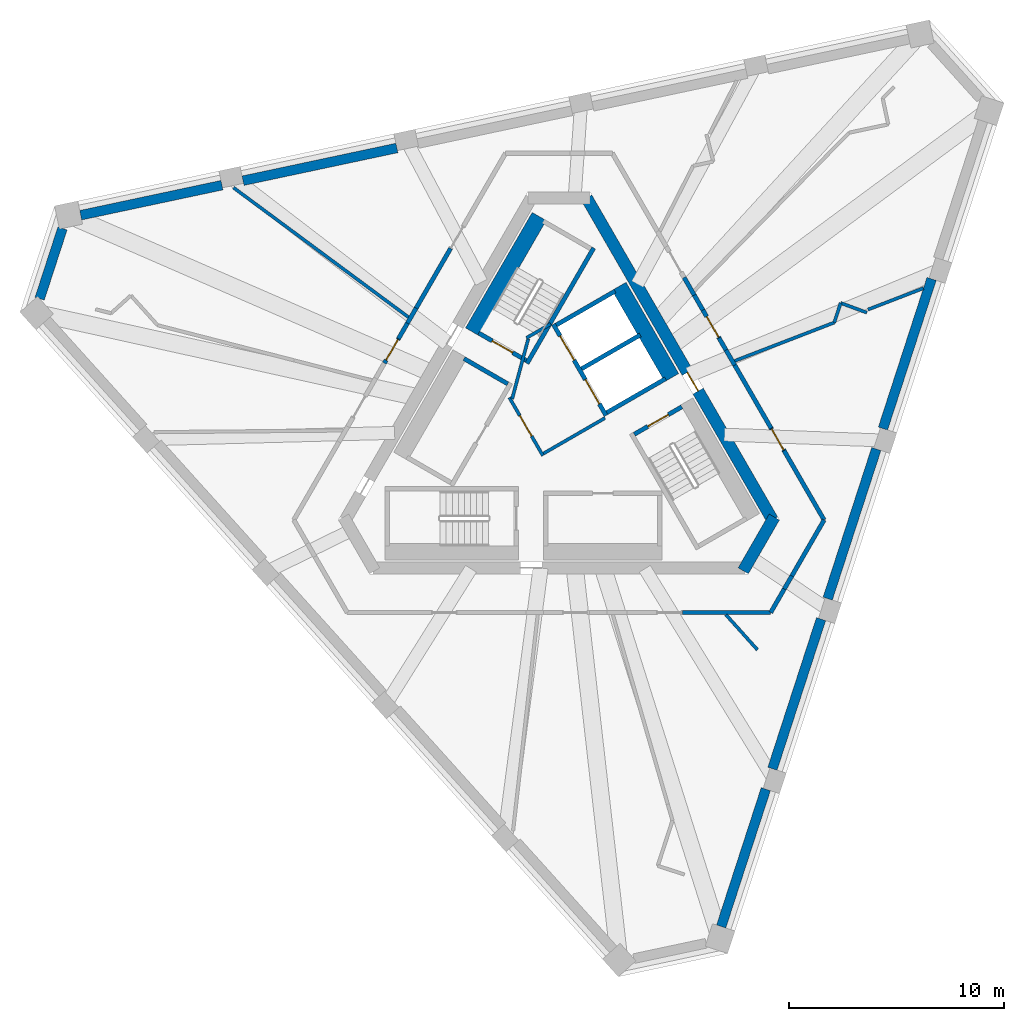
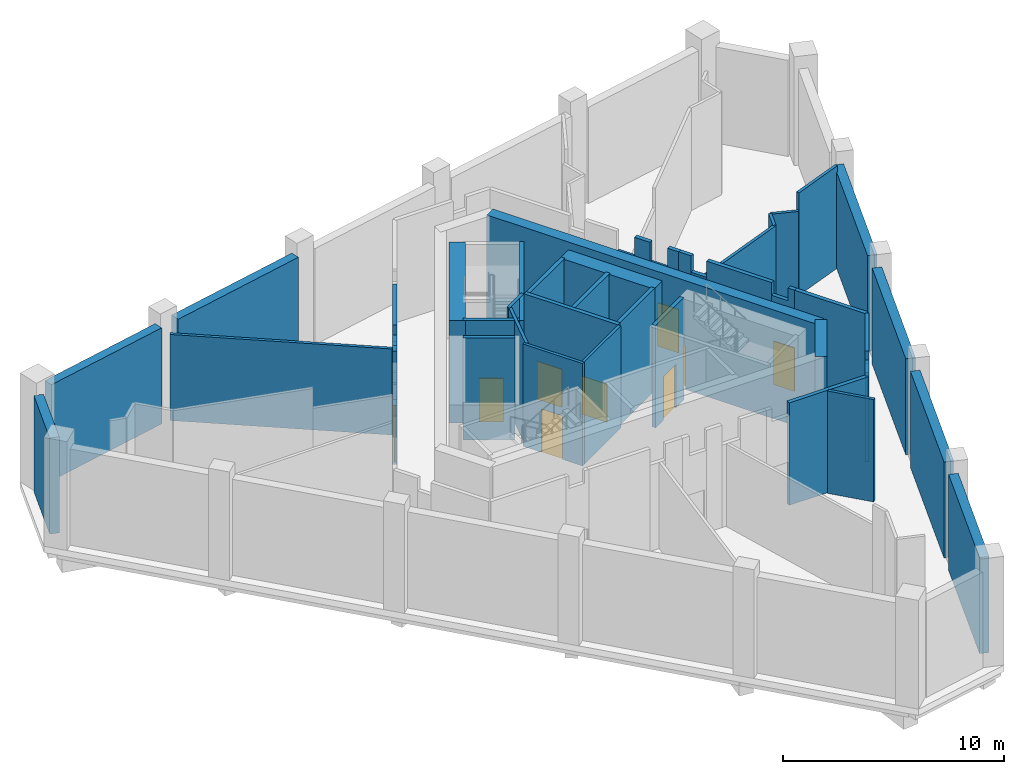
# One storey, part 3 of 5: 45 walls, 9 doors, 9 openings.
"""IFC4 building model written with IfcOpenShell, lengths in metres."""

from ifc_helpers import new_model, si_unit, direction, frame, frame_2d, origin, place, context, subcontext, project, spatial, polyline, rectangle, outline, extrude, material, layer, layer_set, type_object, element, fill, save


model = new_model("IFC4")

# Units and contexts
model_context = context("Model", 3, precision=1e-05, world=origin(), true_north=direction((0.0, 1.0)))
body_context = subcontext(model_context, "Body", "Model", "MODEL_VIEW")
ifc_project = project(units=[si_unit("LENGTHUNIT", "METRE"), si_unit("AREAUNIT", "SQUARE_METRE"), si_unit("VOLUMEUNIT", "CUBIC_METRE"), si_unit("PLANEANGLEUNIT", "RADIAN"), si_unit("MASSUNIT", "GRAM", prefix="KILO")], contexts=[model_context])

# Site, building, storey
site_placement = place(None, origin())
site = spatial("IfcSite", under=ifc_project, at=site_placement, CompositionType="ELEMENT")
building_placement = place(site_placement, origin())
building = spatial("IfcBuilding", under=site, at=building_placement, Name="Tramontana Tower", CompositionType="ELEMENT")
storey_placement = place(building_placement, frame((0.0, 0.0, 374.89990234375)))
storey = spatial("IfcBuildingStorey", under=building, at=storey_placement, Name="L86", CompositionType="ELEMENT", Elevation=374.89990234375)

# Wall
ifc_material_1 = material(Name="Concrete 70 MPa", Category="concrete")
ifc_layer_1 = layer(ifc_material_1, 0.550048828125)
ifc_layer_set_1 = layer_set([ifc_layer_1], Name="Core wall 550 70 MPa")
wall_type_1 = type_object("IfcWallType", Name="Core wall 550 70 MPa", PredefinedType="SHEAR", material=ifc_layer_set_1)
wall_1_placement = place(storey_placement, frame((8.56640625, -6.612548828125, 0.0), z_axis=(0.0, 0.0, 1.0), x_axis=(0.499995765644, 0.866027848477, 0.0)))
element("IfcWall", 1, at=wall_1_placement, inside=storey, type_object=wall_type_1, Name="Core wall C4 L86", PredefinedType="SHEAR", context=body_context, shape_type="SweptSolid", body=[
    extrude(rectangle(XDim=2.88671875, YDim=0.550048828125, at=frame_2d((1.443359375, 0.0))), origin(), (0.0, 0.0, 1.0), 6.0),
])

# Wall, opening, door
wall_2_placement = place(storey_placement, frame((9.930419921875, -4.25, 0.0), z_axis=(0.0, 0.0, 1.0), x_axis=(-0.499994590896, 0.86602852671, 0.0)))
wall_2 = element("IfcWall", 2, at=wall_2_placement, inside=storey, type_object=wall_type_1, Name="Core wall C5 L86", PredefinedType="SHEAR", context=body_context, shape_type="SweptSolid", body=[
    extrude(rectangle(XDim=17.291748046875, YDim=0.550048828125, at=frame_2d((8.64599609375, 0.0))), origin(), (0.0, 0.0, 1.0), 6.0),
])
opening_1_placement = place(wall_2_placement, frame((6.9208984375, 0.0, 0.0)))
opening_1 = element("IfcOpeningElement", 3, at=opening_1_placement, cuts=wall_2, Name="Opening RG3", PredefinedType="OPENING", context=body_context, shape_type="SweptSolid", body=[
    extrude(rectangle(XDim=1.0, YDim=2.39990234375, at=frame_2d((0.5, 1.199951171875))), frame((0.0, 0.284912109375, 0.0), z_axis=(0.0, -1.0, 0.0), x_axis=(1.0, 0.0, 0.0)), (0.0, 0.0, 1.0), 0.570068359375),
])
ifc_material_2 = material(Name="Painted steel", Category="steel")
door_type_1 = type_object("IfcDoorType", Name="RING DOOR 1000", OperationType="SINGLE_SWING_LEFT", PredefinedType="DOOR", material=ifc_material_2)
door_1_placement = place(opening_1_placement, origin())
door_1 = element("IfcDoor", 4, at=door_1_placement, inside=storey, type_object=door_type_1, Name="Door RG3", OperationType="SINGLE_SWING_RIGHT", OverallHeight=2.39990234375, OverallWidth=1.0, PredefinedType="DOOR", context=body_context, shape_type="SweptSolid", body=[
    extrude(rectangle(XDim=1.0, YDim=2.39990234375, at=frame_2d((0.5, 1.199951171875))), frame((0.0, 0.02490234375, 0.0), z_axis=(0.0, -1.0, 0.0), x_axis=(1.0, 0.0, 0.0)), (0.0, 0.0, 1.0), 0.050048828125),
])
fill(opening_1, door_1)

# Walls
ifc_material_3 = material(Name="Blockwork", Category="masonry")
ifc_layer_2 = layer(ifc_material_3, 0.199951171875)
ifc_layer_set_2 = layer_set([ifc_layer_2], Name="ENTRY WALL 200")
wall_type_2 = type_object("IfcWallType", Name="ENTRY WALL 200", PredefinedType="SOLIDWALL", material=ifc_layer_set_2)
wall_3_placement = place(storey_placement, frame((12.326416015625, -4.25, 0.0), z_axis=(0.0, 0.0, 1.0), x_axis=(-0.500003959331, -0.866023117852, 0.0)))
element("IfcWall", 5, at=wall_3_placement, inside=storey, type_object=wall_type_2, Name="Wall ew0-0", PredefinedType="SOLIDWALL", context=body_context, shape_type="SweptSolid", body=[
    extrude(rectangle(XDim=3.0029296875, YDim=0.199951171875, at=frame_2d((1.50146484375, 0.0))), origin(), (0.0, 0.0, 1.0), 5.650146484375),
])
wall_4_placement = place(storey_placement, frame((10.824951171875, -6.8505859375, 0.0), z_axis=(0.0, 0.0, 1.0), x_axis=(-0.500144223137, -0.865942120504, 0.0)))
element("IfcWall", 6, at=wall_4_placement, inside=storey, type_object=wall_type_2, Name="Wall ew0-1", PredefinedType="SOLIDWALL", context=body_context, shape_type="SweptSolid", body=[
    extrude(rectangle(XDim=0.701416015625, YDim=0.199951171875, at=frame_2d((0.3505859375, 0.0))), origin(), (0.0, 0.0, 1.0), 4.9501953125),
])
wall_5_placement = place(storey_placement, frame((10.47412109375, -7.4580078125, 0.0), z_axis=(0.0, 0.0, 1.0), x_axis=(-0.499929168788, -0.866066294342, 0.0)))
element("IfcWall", 7, at=wall_5_placement, inside=storey, type_object=wall_type_2, Name="Wall ew0-2", PredefinedType="SOLIDWALL", context=body_context, shape_type="SweptSolid", body=[
    extrude(rectangle(XDim=1.260986328125, YDim=0.199951171875, at=frame_2d((0.63037109375, 0.0))), origin(), (0.0, 0.0, 1.0), 5.650146484375),
])
wall_6_placement = place(storey_placement, frame((9.84375, -8.550048828125, 0.0), z_axis=(0.0, 0.0, 1.0), x_axis=(-1.0, 0.0, 0.0)))
element("IfcWall", 8, at=wall_6_placement, inside=storey, type_object=wall_type_2, Name="Wall ew1-0", PredefinedType="SOLIDWALL", context=body_context, shape_type="SweptSolid", body=[
    extrude(rectangle(XDim=4.11083984375, YDim=0.199951171875, at=frame_2d((2.055419921875, 0.0))), origin(), (0.0, 0.0, 1.0), 5.650146484375),
])

# Wall, opening, door
wall_7_placement = place(storey_placement, frame((-8.11572265625, 3.043212890625, 0.0), z_axis=(0.0, 0.0, 1.0), x_axis=(0.500023253097, 0.866011978186, 0.0)))
wall_7 = element("IfcWall", 9, at=wall_7_placement, inside=storey, type_object=wall_type_2, Name="Wall ew3-5", PredefinedType="SOLIDWALL", context=body_context, shape_type="SweptSolid", body=[
    extrude(outline(polyline([(0.0, 0.0), (1.3115234375, 0.0), (1.311279296875, 5.650146484375), (0.90576171875, 5.650146484375), (0.90576171875, 4.550048828125), (0.0, 4.550048828125), (0.0, 0.0)])), frame((0.0, 0.10009765625, 0.0), z_axis=(0.0, -1.0, 0.0), x_axis=(1.0, 0.0, 0.0)), (0.0, 0.0, 1.0), 0.199951171875),
])
opening_2_placement = place(wall_7_placement, frame((0.161376953125, 0.0, 0.0)))
opening_2 = element("IfcOpeningElement", 10, at=opening_2_placement, cuts=wall_7, Name="Opening L86-02", PredefinedType="OPENING", context=body_context, shape_type="SweptSolid", body=[
    extrude(rectangle(XDim=1.10009765625, YDim=2.39990234375, at=frame_2d((0.550048828125, 1.199951171875))), frame((0.0, 0.10986328125, 0.0), z_axis=(0.0, -1.0, 0.0), x_axis=(1.0, 0.0, 0.0)), (0.0, 0.0, 1.0), 0.219970703125),
])
ifc_material_4 = material(Name="Painted timber", Category="wood")
door_type_2 = type_object("IfcDoorType", Name="DOOR ENTRY 1100", OperationType="SINGLE_SWING_LEFT", PredefinedType="DOOR", material=ifc_material_4)
door_2_placement = place(opening_2_placement, origin())
door_2 = element("IfcDoor", 11, at=door_2_placement, inside=storey, type_object=door_type_2, Name="Door L86-02", OperationType="SINGLE_SWING_LEFT", OverallHeight=2.39990234375, OverallWidth=1.10009765625, PredefinedType="DOOR", context=body_context, shape_type="SweptSolid", body=[
    extrude(rectangle(XDim=1.10009765625, YDim=2.39990234375, at=frame_2d((0.550048828125, 1.199951171875))), frame((0.0, 0.02490234375, 0.0), z_axis=(0.0, -1.0, 0.0), x_axis=(1.0, 0.0, 0.0)), (0.0, 0.0, 1.0), 0.050048828125),
])
fill(opening_2, door_2)

# Walls
wall_8_placement = place(storey_placement, frame((-7.4599609375, 4.178955078125, 0.0), z_axis=(0.0, 0.0, 1.0), x_axis=(0.499891655525, 0.866087947461, 0.0)))
element("IfcWall", 12, at=wall_8_placement, inside=storey, type_object=wall_type_2, Name="Wall ew3-6", PredefinedType="SOLIDWALL", context=body_context, shape_type="SweptSolid", body=[
    extrude(rectangle(XDim=0.832763671875, YDim=0.199951171875, at=frame_2d((0.41650390625, 0.0))), origin(), (0.0, 0.0, 1.0), 5.650146484375),
])
wall_9_placement = place(storey_placement, frame((-7.043701171875, 4.900146484375, 0.0), z_axis=(0.0, 0.0, 1.0), x_axis=(0.500141487433, 0.865943700565, 0.0)))
element("IfcWall", 13, at=wall_9_placement, inside=storey, type_object=wall_type_2, Name="Wall ew3-7", PredefinedType="SOLIDWALL", context=body_context, shape_type="SweptSolid", body=[
    extrude(rectangle(XDim=0.806884765625, YDim=0.199951171875, at=frame_2d((0.4033203125, 0.0))), origin(), (0.0, 0.0, 1.0), 4.75),
])
wall_10_placement = place(storey_placement, frame((-6.64013671875, 5.598876953125, 0.0), z_axis=(0.0, 0.0, 1.0), x_axis=(0.49996417229, 0.866046087934, 0.0)))
element("IfcWall", 14, at=wall_10_placement, inside=storey, type_object=wall_type_2, Name="Wall ew3-8", PredefinedType="SOLIDWALL", context=body_context, shape_type="SweptSolid", body=[
    extrude(rectangle(XDim=3.205810546875, YDim=0.199951171875, at=frame_2d((1.60302734375, 0.0))), origin(), (0.0, 0.0, 1.0), 5.650146484375),
])
wall_11_placement = place(storey_placement, frame((5.818115234375, 7.022705078125, 0.0), z_axis=(0.0, 0.0, 1.0), x_axis=(0.500006071987, -0.866021898093, 0.0)))
element("IfcWall", 15, at=wall_11_placement, inside=storey, type_object=wall_type_2, Name="Wall ew5-3", PredefinedType="SOLIDWALL", context=body_context, shape_type="SweptSolid", body=[
    extrude(rectangle(XDim=0.94384765625, YDim=0.199951171875, at=frame_2d((0.471923828125, 0.0))), origin(), (0.0, 0.0, 1.0), 4.550048828125),
])
wall_12_placement = place(storey_placement, frame((6.2900390625, 6.205322265625, 0.0), z_axis=(0.0, 0.0, 1.0), x_axis=(0.500045602705, -0.86599907345, 0.0)))
element("IfcWall", 16, at=wall_12_placement, inside=storey, type_object=wall_type_2, Name="Wall ew5-4", PredefinedType="SOLIDWALL", context=body_context, shape_type="SweptSolid", body=[
    extrude(rectangle(XDim=0.806640625, YDim=0.199951171875, at=frame_2d((0.4033203125, 0.0))), origin(), (0.0, 0.0, 1.0), 5.650146484375),
])

# Wall, opening, door
wall_13_placement = place(storey_placement, frame((6.693359375, 5.5068359375, 0.0), z_axis=(0.0, 0.0, 1.0), x_axis=(0.499995192696, -0.866028179265, 0.0)))
wall_13 = element("IfcWall", 17, at=wall_13_placement, inside=storey, type_object=wall_type_2, Name="Wall ew5-5", PredefinedType="SOLIDWALL", context=body_context, shape_type="SweptSolid", body=[
    extrude(outline(polyline([(0.0, 0.0), (1.498046875, 0.0), (1.497802734375, 5.650146484375), (0.90576171875, 5.650146484375), (0.90576171875, 4.550048828125), (0.0, 4.550048828125), (0.0, 0.0)])), frame((0.0, 0.10009765625, 0.0), z_axis=(0.0, -1.0, 0.0), x_axis=(1.0, 0.0, 0.0)), (0.0, 0.0, 1.0), 0.199951171875),
])
opening_3_placement = place(wall_13_placement, frame((0.347900390625, 0.0, 0.0)))
opening_3 = element("IfcOpeningElement", 18, at=opening_3_placement, cuts=wall_13, Name="Opening L86-08", PredefinedType="OPENING", context=body_context, shape_type="SweptSolid", body=[
    extrude(rectangle(XDim=1.10009765625, YDim=2.39990234375, at=frame_2d((0.550048828125, 1.199951171875))), frame((0.0, 0.10986328125, 0.0), z_axis=(0.0, -1.0, 0.0), x_axis=(1.0, 0.0, 0.0)), (0.0, 0.0, 1.0), 0.219970703125),
])
door_3_placement = place(opening_3_placement, origin())
door_3 = element("IfcDoor", 19, at=door_3_placement, inside=storey, type_object=door_type_2, Name="Door L86-08", OperationType="SINGLE_SWING_LEFT", OverallHeight=2.39990234375, OverallWidth=1.10009765625, PredefinedType="DOOR", context=body_context, shape_type="SweptSolid", body=[
    extrude(rectangle(XDim=1.10009765625, YDim=2.39990234375, at=frame_2d((0.550048828125, 1.199951171875))), frame((0.0, 0.02490234375, 0.0), z_axis=(0.0, -1.0, 0.0), x_axis=(1.0, 0.0, 0.0)), (0.0, 0.0, 1.0), 0.050048828125),
])
fill(opening_3, door_3)

# Walls
wall_14_placement = place(storey_placement, frame((7.4423828125, 4.20947265625, 0.0), z_axis=(0.0, 0.0, 1.0), x_axis=(0.499918713684, -0.866072329375, 0.0)))
element("IfcWall", 20, at=wall_14_placement, inside=storey, type_object=wall_type_2, Name="Wall ew5-6", PredefinedType="SOLIDWALL", context=body_context, shape_type="SweptSolid", body=[
    extrude(rectangle(XDim=0.64599609375, YDim=0.199951171875, at=frame_2d((0.322998046875, 0.0))), origin(), (0.0, 0.0, 1.0), 5.650146484375),
])
wall_15_placement = place(storey_placement, frame((7.765380859375, 3.64990234375, 0.0), z_axis=(0.0, 0.0, 1.0), x_axis=(0.500141487433, -0.865943700565, 0.0)))
element("IfcWall", 21, at=wall_15_placement, inside=storey, type_object=wall_type_2, Name="Wall ew5-7", PredefinedType="SOLIDWALL", context=body_context, shape_type="SweptSolid", body=[
    extrude(rectangle(XDim=0.806884765625, YDim=0.199951171875, at=frame_2d((0.4033203125, 0.0))), origin(), (0.0, 0.0, 1.0), 4.75),
])
wall_16_placement = place(storey_placement, frame((8.1689453125, 2.951171875, 0.0), z_axis=(0.0, 0.0, 1.0), x_axis=(0.499955030392, -0.866051365443, 0.0)))
element("IfcWall", 22, at=wall_16_placement, inside=storey, type_object=wall_type_2, Name="Wall ew5-8", PredefinedType="SOLIDWALL", context=body_context, shape_type="SweptSolid", body=[
    extrude(rectangle(XDim=3.392333984375, YDim=0.199951171875, at=frame_2d((1.6962890625, 0.0))), origin(), (0.0, 0.0, 1.0), 5.650146484375),
])

# Wall, opening, door
wall_17_placement = place(storey_placement, frame((9.864990234375, 0.01318359375, 0.0), z_axis=(0.0, 0.0, 1.0), x_axis=(0.50012165622, -0.865955154139, 0.0)))
wall_17 = element("IfcWall", 23, at=wall_17_placement, inside=storey, type_object=wall_type_2, Name="Wall ew5-9", PredefinedType="SOLIDWALL", context=body_context, shape_type="SweptSolid", body=[
    extrude(outline(polyline([(0.0, 0.0), (1.199951171875, 0.0), (1.199951171875, 5.650146484375), (0.85693359375, 5.650146484375), (0.85693359375, 4.9501953125), (0.0, 4.9501953125), (0.0, 0.0)])), frame((0.0, 0.10009765625, 0.0), z_axis=(0.0, -1.0, 0.0), x_axis=(1.0, 0.0, 0.0)), (0.0, 0.0, 1.0), 0.199951171875),
])
opening_4_placement = place(wall_17_placement, frame((0.050048828125, 0.0, 0.0)))
opening_4 = element("IfcOpeningElement", 24, at=opening_4_placement, cuts=wall_17, Name="Opening L86-07", PredefinedType="OPENING", context=body_context, shape_type="SweptSolid", body=[
    extrude(rectangle(XDim=1.10009765625, YDim=2.39990234375, at=frame_2d((0.550048828125, 1.199951171875))), frame((0.0, 0.10986328125, 0.0), z_axis=(0.0, -1.0, 0.0), x_axis=(1.0, 0.0, 0.0)), (0.0, 0.0, 1.0), 0.219970703125),
])
door_4_placement = place(opening_4_placement, origin())
door_4 = element("IfcDoor", 25, at=door_4_placement, inside=storey, type_object=door_type_2, Name="Door L86-07", OperationType="SINGLE_SWING_RIGHT", OverallHeight=2.39990234375, OverallWidth=1.10009765625, PredefinedType="DOOR", context=body_context, shape_type="SweptSolid", body=[
    extrude(rectangle(XDim=1.10009765625, YDim=2.39990234375, at=frame_2d((0.550048828125, 1.199951171875))), frame((0.0, 0.02490234375, 0.0), z_axis=(0.0, -1.0, 0.0), x_axis=(1.0, 0.0, 0.0)), (0.0, 0.0, 1.0), 0.050048828125),
])
fill(opening_4, door_4)

# Walls
wall_18_placement = place(storey_placement, frame((10.465087890625, -1.02587890625, 0.0), z_axis=(0.0, 0.0, 1.0), x_axis=(0.499976014784, -0.866039251212, 0.0)))
element("IfcWall", 26, at=wall_18_placement, inside=storey, type_object=wall_type_2, Name="Wall ew5-10", PredefinedType="SOLIDWALL", context=body_context, shape_type="SweptSolid", body=[
    extrude(rectangle(XDim=3.722900390625, YDim=0.199951171875, at=frame_2d((1.861328125, 0.0))), origin(), (0.0, 0.0, 1.0), 5.650146484375),
])
ifc_material_5 = material(Name="Precast concrete 60 MPa", Category="concrete")
ifc_layer_3 = layer(ifc_material_5, 0.449951171875)
ifc_layer_set_3 = layer_set([ifc_layer_3], Name="Precast concrete 60 MPa, 450 mm")
wall_type_3 = type_object("IfcWallType", Name="EW1 Stone-faced precast wall 450", PredefinedType="SOLIDWALL", material=ifc_layer_set_3)
wall_19_placement = place(storey_placement, frame((-23.0791015625, 9.304931640625, 0.0), z_axis=(0.0, 0.0, 1.0), x_axis=(-0.309076430482, -0.95103720228, 0.0)))
element("IfcWall", 27, at=wall_19_placement, inside=storey, type_object=wall_type_3, Name="Stone band wall L86 face 0k 1", PredefinedType="SOLIDWALL", context=body_context, shape_type="SweptSolid", body=[
    extrude(rectangle(XDim=3.435302734375, YDim=0.449951171875, at=frame_2d((1.7177734375, 0.0))), origin(), (0.0, 0.0, 1.0), 5.300048828125),
])
wall_20_placement = place(storey_placement, frame((7.541015625, -23.14794921875, 0.0), z_axis=(0.0, 0.0, 1.0), x_axis=(0.309018647645, 0.951055979114, 0.0)))
element("IfcWall", 28, at=wall_20_placement, inside=storey, type_object=wall_type_3, Name="Stone band wall L86 face 1s 1", PredefinedType="SOLIDWALL", context=body_context, shape_type="SweptSolid", body=[
    extrude(rectangle(XDim=6.7138671875, YDim=0.449951171875, at=frame_2d((3.35693359375, 0.0))), origin(), (0.0, 0.0, 1.0), 5.300048828125),
])
for number, where, z_axis, x_axis, name in (
    (29, (9.9248046875, -15.8115234375, 0.0), (0.0, 0.0, 1.0), (0.309008326872, 0.951059332494, 0.0), "Stone band wall L86 face 1s 2"),
    (30, (12.493896484375, -7.904541015625, 0.0), (0.0, 0.0, 1.0), (0.309008326872, 0.951059332494, 0.0), "Stone band wall L86 face 1s 3"),
    (31, (15.06298828125, 0.00244140625, 0.0), (0.0, 0.0, 1.0), (0.309008326872, 0.951059332494, 0.0), "Stone band wall L86 face 1s 4"),
):
    element("IfcWall", number, at=place(storey_placement, frame(where, z_axis=z_axis, x_axis=x_axis)), inside=storey, type_object=wall_type_3, Name=name, PredefinedType="SOLIDWALL", context=body_context, shape_type="SweptSolid", body=[
        extrude(rectangle(XDim=7.313720703125, YDim=0.449951171875, at=frame_2d((3.65673828125, 0.0))), origin(), (0.0, 0.0, 1.0), 5.300048828125),
    ])
wall_21_placement = place(storey_placement, frame((-15.665771484375, 11.315185546875, 0.0), z_axis=(0.0, 0.0, 1.0), x_axis=(-0.978144338977, -0.207927035587, 0.0)))
element("IfcWall", 32, at=wall_21_placement, inside=storey, type_object=wall_type_3, Name="Stone band wall L86 face 2s 1", PredefinedType="SOLIDWALL", context=body_context, shape_type="SweptSolid", body=[
    extrude(rectangle(XDim=6.7138671875, YDim=0.449951171875, at=frame_2d((3.35693359375, 0.0))), origin(), (0.0, 0.0, 1.0), 5.300048828125),
])
wall_22_placement = place(storey_placement, frame((-7.533447265625, 13.043701171875, 0.0), z_axis=(0.0, 0.0, 1.0), x_axis=(-0.978151299843, -0.207894287118, 0.0)))
element("IfcWall", 33, at=wall_22_placement, inside=storey, type_object=wall_type_3, Name="Stone band wall L86 face 2s 2", PredefinedType="SOLIDWALL", context=body_context, shape_type="SweptSolid", body=[
    extrude(rectangle(XDim=7.31396484375, YDim=0.449951171875, at=frame_2d((3.656982421875, 0.0))), origin(), (0.0, 0.0, 1.0), 5.300048828125),
])

# Wall, opening, door
ifc_material_6 = material(Name="Gypsum board partition")
ifc_layer_4 = layer(ifc_material_6, 0.14990234375)
ifc_layer_set_4 = layer_set([ifc_layer_4], Name="PARTITION 150")
wall_type_4 = type_object("IfcWallType", Name="PARTITION 150", PredefinedType="PARTITIONING", material=ifc_layer_set_4)
wall_23_placement = place(storey_placement, frame((-0.744140625, -1.260986328125, 0.0), z_axis=(0.0, 0.0, 1.0), x_axis=(-0.500004234368, 0.866022959057, 0.0)))
wall_23 = element("IfcWall", 34, at=wall_23_placement, inside=storey, type_object=wall_type_4, Name="Wall ff-front", PredefinedType="PARTITIONING", context=body_context, shape_type="SweptSolid", body=[
    extrude(rectangle(XDim=3.125, YDim=0.14990234375, at=frame_2d((1.5625, 0.0))), origin(), (0.0, 0.0, 1.0), 5.650146484375),
])
opening_5_placement = place(wall_23_placement, frame((1.050048828125, 0.0, 0.0)))
opening_5 = element("IfcOpeningElement", 35, at=opening_5_placement, cuts=wall_23, Name="Opening FD1", PredefinedType="OPENING", context=body_context, shape_type="SweptSolid", body=[
    extrude(rectangle(XDim=1.10009765625, YDim=2.39990234375, at=frame_2d((0.550048828125, 1.199951171875))), frame((0.0, 0.0849609375, 0.0), z_axis=(0.0, -1.0, 0.0), x_axis=(1.0, 0.0, 0.0)), (0.0, 0.0, 1.0), 0.169921875),
])
door_5_placement = place(opening_5_placement, origin())
door_5 = element("IfcDoor", 36, at=door_5_placement, inside=storey, type_object=door_type_2, Name="Door FD1", OperationType="SINGLE_SWING_LEFT", OverallHeight=2.39990234375, OverallWidth=1.10009765625, PredefinedType="DOOR", context=body_context, shape_type="SweptSolid", body=[
    extrude(rectangle(XDim=1.10009765625, YDim=2.39990234375, at=frame_2d((0.550048828125, 1.199951171875))), frame((0.0, 0.02490234375, 0.0), z_axis=(0.0, -1.0, 0.0), x_axis=(1.0, 0.0, 0.0)), (0.0, 0.0, 1.0), 0.050048828125),
])
fill(opening_5, door_5)

# Walls
wall_24_placement = place(storey_placement, frame((-0.716796875, -1.15869140625, 0.0), z_axis=(0.0, 0.0, 1.0), x_axis=(0.866008176907, 0.50002983664, 0.0)))
element("IfcWall", 37, at=wall_24_placement, inside=storey, type_object=wall_type_4, Name="Wall ff-end0", PredefinedType="PARTITIONING", context=body_context, shape_type="SweptSolid", body=[
    extrude(rectangle(XDim=3.300048828125, YDim=0.14990234375, at=frame_2d((1.64990234375, 0.0))), origin(), (0.0, 0.0, 1.0), 5.650146484375),
])
wall_25_placement = place(storey_placement, frame((-2.177978515625, 1.372314453125, 0.0), z_axis=(0.0, 0.0, 1.0), x_axis=(0.258808958833, 0.96592852884, 0.0)))
element("IfcWall", 38, at=wall_25_placement, inside=storey, type_object=wall_type_4, Name="Wall ff-diag", PredefinedType="PARTITIONING", context=body_context, shape_type="SweptSolid", body=[
    extrude(rectangle(XDim=2.902587890625, YDim=0.14990234375, at=frame_2d((1.451171875, 0.0))), origin(), (0.0, 0.0, 1.0), 5.650146484375),
])
wall_26_placement = place(storey_placement, frame((-1.509765625, 4.21484375, 0.0), z_axis=(0.0, 0.0, 1.0), x_axis=(0.866085525409, 0.49989585183, 0.0)))
element("IfcWall", 39, at=wall_26_placement, inside=storey, type_object=wall_type_4, Name="Wall ff-end1", PredefinedType="PARTITIONING", context=body_context, shape_type="SweptSolid", body=[
    extrude(rectangle(XDim=1.300048828125, YDim=0.14990234375, at=frame_2d((0.64990234375, 0.0))), origin(), (0.0, 0.0, 1.0), 5.650146484375),
])
wall_27_placement = place(storey_placement, frame((-6.997802734375, 5.1796875, 0.0), z_axis=(0.0, 0.0, 1.0), x_axis=(-0.803760198744, 0.594953395582, 0.0)))
element("IfcWall", 40, at=wall_27_placement, inside=storey, type_object=wall_type_4, Name="Wall fw-pw07-0", PredefinedType="PARTITIONING", context=body_context, shape_type="SweptSolid", body=[
    extrude(rectangle(XDim=10.1171875, YDim=0.14990234375, at=frame_2d((5.05859375, 0.0))), origin(), (0.0, 0.0, 1.0), 4.75),
])
wall_28_placement = place(storey_placement, frame((7.76025390625, -8.650146484375, 0.0), z_axis=(0.0, 0.0, 1.0), x_axis=(0.667813245051, -0.744328872028, 0.0)))
element("IfcWall", 41, at=wall_28_placement, inside=storey, type_object=wall_type_4, Name="Wall fw-pw17", PredefinedType="PARTITIONING", context=body_context, shape_type="SweptSolid", body=[
    extrude(rectangle(XDim=2.192138671875, YDim=0.14990234375, at=frame_2d((1.09619140625, 0.0))), origin(), (0.0, 0.0, 1.0), 5.650146484375),
])
wall_29_placement = place(storey_placement, frame((8.171142578125, 3.147216796875, 0.0), z_axis=(0.0, 0.0, 1.0), x_axis=(0.933160243697, 0.359460650953, 0.0)))
element("IfcWall", 42, at=wall_29_placement, inside=storey, type_object=wall_type_4, Name="Wall fw-pw18-0", PredefinedType="PARTITIONING", context=body_context, shape_type="SweptSolid", body=[
    extrude(rectangle(XDim=4.95947265625, YDim=0.14990234375, at=frame_2d((2.479736328125, 0.0))), origin(), (0.0, 0.0, 1.0), 4.75),
])
wall_30_placement = place(storey_placement, frame((12.80029296875, 4.93115234375, 0.0), z_axis=(0.0, 0.0, 1.0), x_axis=(0.30908028689, 0.951035948982, 0.0)))
element("IfcWall", 43, at=wall_30_placement, inside=storey, type_object=wall_type_4, Name="Wall fw-pw20-0", PredefinedType="PARTITIONING", context=body_context, shape_type="SweptSolid", body=[
    extrude(rectangle(XDim=0.9541015625, YDim=0.14990234375, at=frame_2d((0.47705078125, 0.0))), origin(), (0.0, 0.0, 1.0), 4.75),
])
wall_31_placement = place(storey_placement, frame((13.09521484375, 5.838623046875, 0.0), z_axis=(0.0, 0.0, 1.0), x_axis=(0.938493614459, -0.345296590803, 0.0)))
element("IfcWall", 44, at=wall_31_placement, inside=storey, type_object=wall_type_4, Name="Wall fw-pw21-0", PredefinedType="PARTITIONING", context=body_context, shape_type="SweptSolid", body=[
    extrude(rectangle(XDim=1.301025390625, YDim=0.14990234375, at=frame_2d((0.650390625, 0.0))), origin(), (0.0, 0.0, 1.0), 4.75),
])
wall_32_placement = place(storey_placement, frame((14.362548828125, 5.531982421875, 0.0), z_axis=(0.0, 0.0, 1.0), x_axis=(0.933150029703, 0.359487165369, 0.0)))
element("IfcWall", 45, at=wall_32_placement, inside=storey, type_object=wall_type_4, Name="Wall fw-pw23", PredefinedType="PARTITIONING", context=body_context, shape_type="SweptSolid", body=[
    extrude(rectangle(XDim=2.768798828125, YDim=0.14990234375, at=frame_2d((1.38427734375, 0.0))), origin(), (0.0, 0.0, 1.0), 5.650146484375),
])
ifc_material_7 = material(Name="Concrete 70 MPa", Category="concrete")
ifc_layer_5 = layer(ifc_material_7, 0.75)
ifc_layer_set_5 = layer_set([ifc_layer_5], Name="Concrete 70 MPa, 750 mm")
wall_type_5 = type_object("IfcWallType", Name="RC SHAFT BACK WALL 750", PredefinedType="SOLIDWALL", material=ifc_layer_set_5)
wall_33_placement = place(storey_placement, frame((-0.91796875, 9.85986328125, 0.0), z_axis=(0.0, 0.0, 1.0), x_axis=(-0.500026960575, -0.86600983753, 0.0)))
element("IfcWall", 46, at=wall_33_placement, inside=storey, type_object=wall_type_5, Name="Wall st1-back", PredefinedType="SOLIDWALL", context=body_context, shape_type="SweptSolid", body=[
    extrude(rectangle(XDim=6.199951171875, YDim=0.75, at=frame_2d((3.10009765625, 0.0))), origin(), (0.0, 0.0, 1.0), 5.650146484375),
])
wall_34_placement = place(storey_placement, frame((5.242919921875, 2.368896484375, 0.0), z_axis=(0.0, 0.0, 1.0), x_axis=(-0.500002801628, 0.866023786258, 0.0)))
element("IfcWall", 47, at=wall_34_placement, inside=storey, type_object=wall_type_5, Name="Wall row2-back", PredefinedType="SOLIDWALL", context=body_context, shape_type="SweptSolid", body=[
    extrude(rectangle(XDim=4.89990234375, YDim=0.75, at=frame_2d((2.449951171875, 0.0))), origin(), (0.0, 0.0, 1.0), 5.650146484375),
])
ifc_material_8 = material(Name="Concrete 70 MPa", Category="concrete")
ifc_layer_6 = layer(ifc_material_8, 0.199951171875)
ifc_layer_set_6 = layer_set([ifc_layer_6], Name="Concrete 70 MPa, 200 mm")
wall_type_6 = type_object("IfcWallType", Name="RC STAIR AND SHAFT WALL 200", PredefinedType="SOLIDWALL", material=ifc_layer_set_6)
wall_35_placement = place(storey_placement, frame((1.615234375, 8.3974609375, 0.0), z_axis=(0.0, 0.0, 1.0), x_axis=(-0.500009909098, -0.866019682689, 0.0)))
element("IfcWall", 48, at=wall_35_placement, inside=storey, type_object=wall_type_6, Name="Wall st1-front", PredefinedType="SOLIDWALL", context=body_context, shape_type="SweptSolid", body=[
    extrude(rectangle(XDim=6.199951171875, YDim=0.199951171875, at=frame_2d((3.10009765625, 0.0))), origin(), (0.0, 0.0, 1.0), 5.650146484375),
])

# Wall, opening, door
wall_36_placement = place(storey_placement, frame((-1.521484375, 3.164794921875, 0.0), z_axis=(0.0, 0.0, 1.0), x_axis=(-0.866030925526, 0.499990435942, 0.0)))
wall_36 = element("IfcWall", 49, at=wall_36_placement, inside=storey, type_object=wall_type_6, Name="Wall st1-near", PredefinedType="SOLIDWALL", context=body_context, shape_type="SweptSolid", body=[
    extrude(rectangle(XDim=2.5498046875, YDim=0.199951171875, at=frame_2d((1.27490234375, 0.0))), origin(), (0.0, 0.0, 1.0), 5.650146484375),
])
opening_6_placement = place(wall_36_placement, frame((0.72509765625, 0.0, 0.0)))
opening_6 = element("IfcOpeningElement", 50, at=opening_6_placement, cuts=wall_36, Name="Opening SD1", PredefinedType="OPENING", context=body_context, shape_type="SweptSolid", body=[
    extrude(rectangle(XDim=1.10009765625, YDim=2.39990234375, at=frame_2d((0.550048828125, 1.199951171875))), frame((0.0, 0.10986328125, 0.0), z_axis=(0.0, -1.0, 0.0), x_axis=(1.0, 0.0, 0.0)), (0.0, 0.0, 1.0), 0.219970703125),
])
ifc_material_9 = material(Name="Painted steel", Category="steel")
door_type_3 = type_object("IfcDoorType", Name="STAIR DOOR 1100", OperationType="SINGLE_SWING_LEFT", PredefinedType="DOOR", material=ifc_material_9)
door_6_placement = place(opening_6_placement, origin())
door_6 = element("IfcDoor", 51, at=door_6_placement, inside=storey, type_object=door_type_3, Name="Door SD1", OperationType="SINGLE_SWING_RIGHT", OverallHeight=2.39990234375, OverallWidth=1.10009765625, PredefinedType="DOOR", context=body_context, shape_type="SweptSolid", body=[
    extrude(rectangle(XDim=1.10009765625, YDim=2.39990234375, at=frame_2d((0.550048828125, 1.199951171875))), frame((0.0, 0.02490234375, 0.0), z_axis=(0.0, -1.0, 0.0), x_axis=(1.0, 0.0, 0.0)), (0.0, 0.0, 1.0), 0.050048828125),
])
fill(opening_6, door_6)

wall_37_placement = place(storey_placement, frame((3.50146484375, -0.2646484375, 0.0), z_axis=(0.0, 0.0, 1.0), x_axis=(0.866030925526, 0.499990435942, 0.0)))
wall_37 = element("IfcWall", 52, at=wall_37_placement, inside=storey, type_object=wall_type_6, Name="Wall st3-near", PredefinedType="SOLIDWALL", context=body_context, shape_type="SweptSolid", body=[
    extrude(rectangle(XDim=2.5498046875, YDim=0.199951171875, at=frame_2d((1.27490234375, 0.0))), origin(), (0.0, 0.0, 1.0), 5.650146484375),
])
opening_7_placement = place(wall_37_placement, frame((0.72509765625, 0.0, 0.0)))
opening_7 = element("IfcOpeningElement", 53, at=opening_7_placement, cuts=wall_37, Name="Opening SD3", PredefinedType="OPENING", context=body_context, shape_type="SweptSolid", body=[
    extrude(rectangle(XDim=1.10009765625, YDim=2.39990234375, at=frame_2d((0.550048828125, 1.199951171875))), frame((0.0, 0.10986328125, 0.0), z_axis=(0.0, -1.0, 0.0), x_axis=(1.0, 0.0, 0.0)), (0.0, 0.0, 1.0), 0.219970703125),
])
door_7_placement = place(opening_7_placement, origin())
door_7 = element("IfcDoor", 54, at=door_7_placement, inside=storey, type_object=door_type_3, Name="Door SD3", OperationType="SINGLE_SWING_RIGHT", OverallHeight=2.39990234375, OverallWidth=1.10009765625, PredefinedType="DOOR", context=body_context, shape_type="SweptSolid", body=[
    extrude(rectangle(XDim=1.10009765625, YDim=2.39990234375, at=frame_2d((0.550048828125, 1.199951171875))), frame((0.0, 0.02490234375, 0.0), z_axis=(0.0, -1.0, 0.0), x_axis=(1.0, 0.0, 0.0)), (0.0, 0.0, 1.0), 0.050048828125),
])
fill(opening_7, door_7)

# Wall
wall_38_placement = place(storey_placement, frame((-2.379638671875, 2.078369140625, 0.0), z_axis=(0.0, 0.0, 1.0), x_axis=(-0.866061024631, 0.499938297808, 0.0)))
element("IfcWall", 55, at=wall_38_placement, inside=storey, type_object=wall_type_6, Name="Wall row0-side0", PredefinedType="SOLIDWALL", context=body_context, shape_type="SweptSolid", body=[
    extrude(rectangle(XDim=2.349853515625, YDim=0.199951171875, at=frame_2d((1.1748046875, 0.0))), origin(), (0.0, 0.0, 1.0), 5.650146484375),
])

# Wall, openings, doors
wall_39_placement = place(storey_placement, frame((2.190185546875, 0.6064453125, 0.0), z_axis=(0.0, 0.0, 1.0), x_axis=(-0.500002801628, 0.866023786258, 0.0)))
wall_39 = element("IfcWall", 56, at=wall_39_placement, inside=storey, type_object=wall_type_6, Name="Wall row2-front", PredefinedType="SOLIDWALL", context=body_context, shape_type="SweptSolid", body=[
    extrude(rectangle(XDim=4.89990234375, YDim=0.199951171875, at=frame_2d((2.449951171875, 0.0))), origin(), (0.0, 0.0, 1.0), 5.650146484375),
])
opening_8_placement = place(wall_39_placement, frame((0.625, 0.0, 0.0)))
opening_8 = element("IfcOpeningElement", 57, at=opening_8_placement, cuts=wall_39, Name="Opening LD-F1", PredefinedType="OPENING", context=body_context, shape_type="SweptSolid", body=[
    extrude(rectangle(XDim=1.300048828125, YDim=2.10009765625, at=frame_2d((0.64990234375, 1.050048828125))), frame((0.0, 0.10986328125, 0.0), z_axis=(0.0, -1.0, 0.0), x_axis=(1.0, 0.0, 0.0)), (0.0, 0.0, 1.0), 0.219970703125),
])
opening_9_placement = place(wall_39_placement, frame((2.97509765625, 0.0, 0.0)))
opening_9 = element("IfcOpeningElement", 58, at=opening_9_placement, cuts=wall_39, Name="Opening LD-F2", PredefinedType="OPENING", context=body_context, shape_type="SweptSolid", body=[
    extrude(rectangle(XDim=1.300048828125, YDim=2.10009765625, at=frame_2d((0.64990234375, 1.050048828125))), frame((0.0, 0.10986328125, 0.0), z_axis=(0.0, -1.0, 0.0), x_axis=(1.0, 0.0, 0.0)), (0.0, 0.0, 1.0), 0.219970703125),
])
ifc_material_10 = material(Name="Brushed steel", Category="steel")
door_type_4 = type_object("IfcDoorType", Name="LANDING DOOR 1300", OperationType="SINGLE_SWING_LEFT", PredefinedType="DOOR", material=ifc_material_10)
door_8_placement = place(opening_8_placement, origin())
door_8 = element("IfcDoor", 59, at=door_8_placement, inside=storey, type_object=door_type_4, Name="Door LD-F1", OperationType="SLIDING_TO_LEFT", OverallHeight=2.10009765625, OverallWidth=1.300048828125, PredefinedType="DOOR", context=body_context, shape_type="SweptSolid", body=[
    extrude(rectangle(XDim=1.300048828125, YDim=2.10009765625, at=frame_2d((0.64990234375, 1.050048828125))), frame((0.0, 0.02490234375, 0.0), z_axis=(0.0, -1.0, 0.0), x_axis=(1.0, 0.0, 0.0)), (0.0, 0.0, 1.0), 0.050048828125),
])
fill(opening_8, door_8)
door_9_placement = place(opening_9_placement, origin())
door_9 = element("IfcDoor", 60, at=door_9_placement, inside=storey, type_object=door_type_4, Name="Door LD-F2", OperationType="SLIDING_TO_RIGHT", OverallHeight=2.10009765625, OverallWidth=1.300048828125, PredefinedType="DOOR", context=body_context, shape_type="SweptSolid", body=[
    extrude(rectangle(XDim=1.300048828125, YDim=2.10009765625, at=frame_2d((0.64990234375, 1.050048828125))), frame((0.0, 0.02490234375, 0.0), z_axis=(0.0, -1.0, 0.0), x_axis=(1.0, 0.0, 0.0)), (0.0, 0.0, 1.0), 0.050048828125),
])
fill(opening_9, door_9)

# Walls
for number, where, z_axis, x_axis, name in (
    (61, (2.226806640625, 0.742919921875, 0.0), (0.0, 0.0, 1.0), (0.866035871367, 0.499981869177, 0.0), "Wall row2-side0"),
    (62, (1.0517578125, 2.778076171875, 0.0), (0.0, 0.0, 1.0), (0.866035871367, 0.499981869177, 0.0), "Wall row2-side1"),
    (63, (-0.123046875, 4.813232421875, 0.0), (0.0, 0.0, 1.0), (0.866016494683, 0.500015430699, 0.0), "Wall row2-side2"),
):
    element("IfcWall", number, at=place(storey_placement, frame(where, z_axis=z_axis, x_axis=x_axis)), inside=storey, type_object=wall_type_6, Name=name, PredefinedType="SOLIDWALL", context=body_context, shape_type="SweptSolid", body=[
        extrude(rectangle(XDim=3.14990234375, YDim=0.199951171875, at=frame_2d((1.574951171875, 0.0))), origin(), (0.0, 0.0, 1.0), 5.650146484375),
    ])

save(model, "model.ifc")
